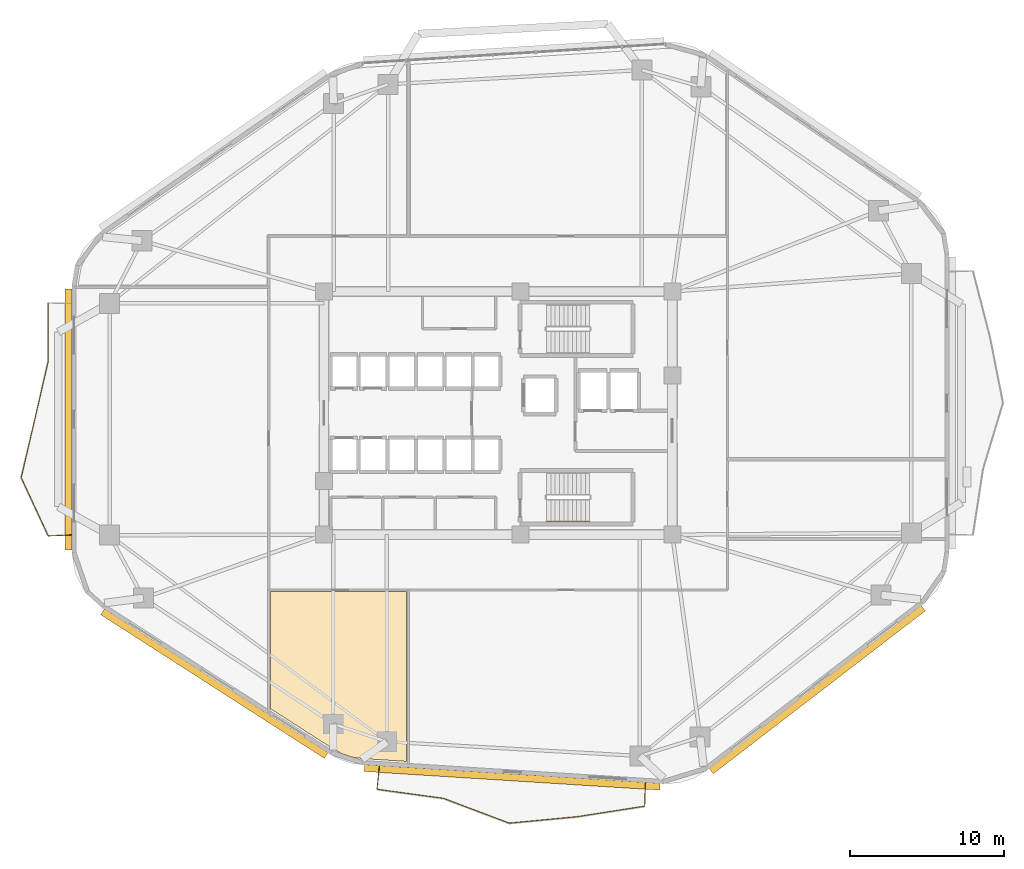
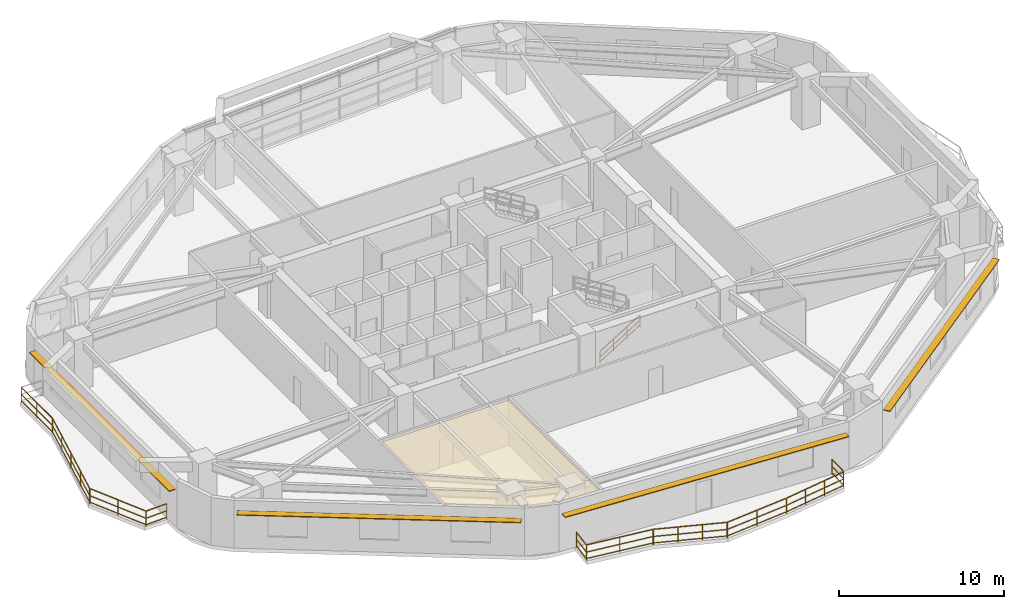
# One storey, part 9 of 11: 11 railings, 4 shading devices, 1 covering.
"""IFC4 building model written with IfcOpenShell, lengths in metres."""

from ifc_helpers import new_model, si_unit, direction, frame, origin, origin_2d, place, context, subcontext, project, spatial, polyline, rectangle, outline, extrude, material, layer, layer_set, type_object, element, save


model = new_model("IFC4")

# Units and contexts
model_context = context("Model", 3, precision=1e-05, world=origin(), true_north=direction((0.0, 1.0)))
body_context = subcontext(model_context, "Body", "Model", "MODEL_VIEW")
ifc_project = project(units=[si_unit("LENGTHUNIT", "METRE"), si_unit("AREAUNIT", "SQUARE_METRE"), si_unit("VOLUMEUNIT", "CUBIC_METRE"), si_unit("PLANEANGLEUNIT", "RADIAN"), si_unit("MASSUNIT", "GRAM", prefix="KILO")], contexts=[model_context])

# Site, building, storey
site_placement = place(None, origin())
site = spatial("IfcSite", under=ifc_project, at=site_placement, CompositionType="ELEMENT")
building_placement = place(site_placement, origin())
building = spatial("IfcBuilding", under=site, at=building_placement, Name="Zulverin Broadcast Headquarters", CompositionType="ELEMENT")
storey_placement = place(building_placement, frame((0.0, 0.0, 32.60009765625)))
storey = spatial("IfcBuildingStorey", under=building, at=storey_placement, Name="L07", CompositionType="ELEMENT", Elevation=32.60009765625)

# Covering
ifc_material_1 = material(Name="Perforated pale-metal acoustic baffle ceiling", Category="aluminium")
ifc_layer_1 = layer(ifc_material_1, 0.0400390625, Name="Perforated pale-metal acoustic baffle ceiling", Category="aluminium")
ifc_layer_set_1 = layer_set([ifc_layer_1], Name="Perforated pale-metal acoustic baffle ceiling")
covering_type = type_object("IfcCoveringType", Name="COV-CEIL-ACOU", PredefinedType="CEILING", material=ifc_layer_set_1)
covering_placement = place(storey_placement, frame((0.0, 0.0, 3.344970703125)))
element("IfcCovering", 1, at=covering_placement, inside=storey, type_object=covering_type, Name="L07 Acoustic Baffle Ceiling 03", PredefinedType="CEILING", context=body_context, shape_type="SweptSolid", body=[
    extrude(outline(polyline([(22.27197265625, 13.632080078125), (22.27197265625, 6.055908203125), (26.347900390625, 3.43603515625), (26.931884765625, 3.1279296875), (27.5439453125, 2.924072265625), (28.19189453125, 2.83203125), (31.080078125, 2.64794921875), (31.080078125, 13.632080078125), (22.27197265625, 13.632080078125)])), origin(), (0.0, 0.0, 1.0), 0.0400390625),
])

# Railings
ifc_material_2 = material(Name="Brushed stainless steel & laminated glass balustrade", Category="steel")
railing_type_1 = type_object("IfcRailingType", Name="RL-GUARD-1150", PredefinedType="GUARDRAIL", material=ifc_material_2)
railing_1_placement = place(storey_placement, frame((29.3076171875, 2.318603515625, 0.0)))
element("IfcRailing", 2, at=railing_1_placement, inside=storey, type_object=railing_type_1, Name="L07 Vertical-Forest Balcony Guardrail BAL_S Segment 01", PredefinedType="GUARDRAIL", context=body_context, shape_type="SweptSolid", body=[
    extrude(rectangle(XDim=0.048095703125, YDim=0.048095703125, at=origin_2d()), frame((0.0, 0.0, 1.1259765625), z_axis=(-0.103228615139, -0.99465765619, 0.0), x_axis=(0.99465765619, -0.103228615139, 0.0)), (0.0, 0.0, 1.0), 1.46630859375),
    extrude(rectangle(XDim=0.0419921875, YDim=0.0419921875, at=origin_2d()), frame((0.0, 0.0, 0.597900390625), z_axis=(-0.103228615139, -0.99465765619, 0.0), x_axis=(0.99465765619, -0.103228615139, 0.0)), (0.0, 0.0, 1.0), 1.46630859375),
    extrude(rectangle(XDim=0.0419921875, YDim=0.0419921875, at=origin_2d()), frame((0.0, 0.0, 0.1201171875), z_axis=(-0.103228615139, -0.99465765619, 0.0), x_axis=(0.99465765619, -0.103228615139, 0.0)), (0.0, 0.0, 1.0), 1.46630859375),
    extrude(rectangle(XDim=0.0419921875, YDim=0.0419921875, at=origin_2d()), origin(), (0.0, 0.0, 1.0), 1.101806640625),
    extrude(rectangle(XDim=0.0419921875, YDim=0.0419921875, at=origin_2d()), frame((-0.1513671875, -1.45849609375, 0.0)), (0.0, 0.0, 1.0), 1.101806640625),
])
railing_2_placement = place(storey_placement, frame((29.16943359375, 0.843017578125, 0.0)))
element("IfcRailing", 3, at=railing_2_placement, inside=storey, type_object=railing_type_1, Name="L07 Vertical-Forest Balcony Guardrail BAL_S Segment 02", PredefinedType="GUARDRAIL", context=body_context, shape_type="SweptSolid", body=[
    extrude(rectangle(XDim=0.048095703125, YDim=0.048095703125, at=origin_2d()), frame((0.0, 0.0, 1.1259765625), z_axis=(0.990776169292, -0.135508606236, 0.0), x_axis=(0.135508606236, 0.990776169292, 0.0)), (0.0, 0.0, 1.0), 4.32568359375),
    extrude(rectangle(XDim=0.0419921875, YDim=0.0419921875, at=origin_2d()), frame((0.0, 0.0, 0.597900390625), z_axis=(0.990776169292, -0.135508606236, 0.0), x_axis=(0.135508606236, 0.990776169292, 0.0)), (0.0, 0.0, 1.0), 4.32568359375),
    extrude(rectangle(XDim=0.0419921875, YDim=0.0419921875, at=origin_2d()), frame((0.0, 0.0, 0.1201171875), z_axis=(0.990776169292, -0.135508606236, 0.0), x_axis=(0.135508606236, 0.990776169292, 0.0)), (0.0, 0.0, 1.0), 4.32568359375),
    extrude(rectangle(XDim=0.0419921875, YDim=0.0419921875, at=origin_2d()), origin(), (0.0, 0.0, 1.0), 1.101806640625),
    extrude(rectangle(XDim=0.0419921875, YDim=0.0419921875, at=origin_2d()), frame((2.14306640625, -0.29296875, 0.0)), (0.0, 0.0, 1.0), 1.101806640625),
    extrude(rectangle(XDim=0.0419921875, YDim=0.0419921875, at=origin_2d()), frame((4.285888671875, -0.586181640625, 0.0)), (0.0, 0.0, 1.0), 1.101806640625),
])
railing_3_placement = place(storey_placement, frame((33.484130859375, 0.24951171875, 0.0)))
element("IfcRailing", 4, at=railing_3_placement, inside=storey, type_object=railing_type_1, Name="L07 Vertical-Forest Balcony Guardrail BAL_S Segment 03", PredefinedType="GUARDRAIL", context=body_context, shape_type="SweptSolid", body=[
    extrude(rectangle(XDim=0.048095703125, YDim=0.048095703125, at=origin_2d()), frame((0.0, 0.0, 1.1259765625), z_axis=(0.935685285849, -0.352835720761, 0.0), x_axis=(0.352835720761, 0.935685285849, 0.0)), (0.0, 0.0, 1.0), 4.51416015625),
    extrude(rectangle(XDim=0.0419921875, YDim=0.0419921875, at=origin_2d()), frame((0.0, 0.0, 0.597900390625), z_axis=(0.935685285849, -0.352835720761, 0.0), x_axis=(0.352835720761, 0.935685285849, 0.0)), (0.0, 0.0, 1.0), 4.51416015625),
    extrude(rectangle(XDim=0.0419921875, YDim=0.0419921875, at=origin_2d()), frame((0.0, 0.0, 0.1201171875), z_axis=(0.935685285849, -0.352835720761, 0.0), x_axis=(0.352835720761, 0.935685285849, 0.0)), (0.0, 0.0, 1.0), 4.51416015625),
    extrude(rectangle(XDim=0.0419921875, YDim=0.0419921875, at=origin_2d()), origin(), (0.0, 0.0, 1.0), 1.101806640625),
    extrude(rectangle(XDim=0.0419921875, YDim=0.0419921875, at=origin_2d()), frame((1.407958984375, -0.531005859375, 0.0)), (0.0, 0.0, 1.0), 1.101806640625),
    extrude(rectangle(XDim=0.0419921875, YDim=0.0419921875, at=origin_2d()), frame((2.81591796875, -1.061767578125, 0.0)), (0.0, 0.0, 1.0), 1.101806640625),
    extrude(rectangle(XDim=0.0419921875, YDim=0.0419921875, at=origin_2d()), frame((4.223876953125, -1.5927734375, 0.0)), (0.0, 0.0, 1.0), 1.101806640625),
])
railing_4_placement = place(storey_placement, frame((37.73681640625, -1.34716796875, 0.0)))
element("IfcRailing", 5, at=railing_4_placement, inside=storey, type_object=railing_type_1, Name="L07 Vertical-Forest Balcony Guardrail BAL_S Segment 04", PredefinedType="GUARDRAIL", context=body_context, shape_type="SweptSolid", body=[
    extrude(rectangle(XDim=0.048095703125, YDim=0.048095703125, at=origin_2d()), frame((0.0, 0.0, 1.1259765625), z_axis=(0.995530565584, 0.094439890869, 0.0), x_axis=(-0.094439890869, 0.995530565584, 0.0)), (0.0, 0.0, 1.0), 4.368896484375),
    extrude(rectangle(XDim=0.0419921875, YDim=0.0419921875, at=origin_2d()), frame((0.0, 0.0, 0.597900390625), z_axis=(0.995530565584, 0.094439890869, 0.0), x_axis=(-0.094439890869, 0.995530565584, 0.0)), (0.0, 0.0, 1.0), 4.368896484375),
    extrude(rectangle(XDim=0.0419921875, YDim=0.0419921875, at=origin_2d()), frame((0.0, 0.0, 0.1201171875), z_axis=(0.995530565584, 0.094439890869, 0.0), x_axis=(-0.094439890869, 0.995530565584, 0.0)), (0.0, 0.0, 1.0), 4.368896484375),
    extrude(rectangle(XDim=0.0419921875, YDim=0.0419921875, at=origin_2d()), origin(), (0.0, 0.0, 1.0), 1.101806640625),
    extrude(rectangle(XDim=0.0419921875, YDim=0.0419921875, at=origin_2d()), frame((2.1748046875, 0.206298828125, 0.0)), (0.0, 0.0, 1.0), 1.101806640625),
    extrude(rectangle(XDim=0.0419921875, YDim=0.0419921875, at=origin_2d()), frame((4.349365234375, 0.41259765625, 0.0)), (0.0, 0.0, 1.0), 1.101806640625),
])
railing_5_placement = place(storey_placement, frame((42.11572265625, -0.930908203125, 0.0)))
element("IfcRailing", 6, at=railing_5_placement, inside=storey, type_object=railing_type_1, Name="L07 Vertical-Forest Balcony Guardrail BAL_S Segment 05", PredefinedType="GUARDRAIL", context=body_context, shape_type="SweptSolid", body=[
    extrude(rectangle(XDim=0.048095703125, YDim=0.048095703125, at=origin_2d()), frame((0.0, 0.0, 1.1259765625), z_axis=(0.988093523987, 0.15385443723, 0.0), x_axis=(-0.15385443723, 0.988093523987, 0.0)), (0.0, 0.0, 1.0), 4.41943359375),
    extrude(rectangle(XDim=0.0419921875, YDim=0.0419921875, at=origin_2d()), frame((0.0, 0.0, 0.597900390625), z_axis=(0.988093523987, 0.15385443723, 0.0), x_axis=(-0.15385443723, 0.988093523987, 0.0)), (0.0, 0.0, 1.0), 4.41943359375),
    extrude(rectangle(XDim=0.0419921875, YDim=0.0419921875, at=origin_2d()), frame((0.0, 0.0, 0.1201171875), z_axis=(0.988093523987, 0.15385443723, 0.0), x_axis=(-0.15385443723, 0.988093523987, 0.0)), (0.0, 0.0, 1.0), 4.41943359375),
    extrude(rectangle(XDim=0.0419921875, YDim=0.0419921875, at=origin_2d()), origin(), (0.0, 0.0, 1.0), 1.101806640625),
    extrude(rectangle(XDim=0.0419921875, YDim=0.0419921875, at=origin_2d()), frame((1.45556640625, 0.2265625, 0.0)), (0.0, 0.0, 1.0), 1.101806640625),
    extrude(rectangle(XDim=0.0419921875, YDim=0.0419921875, at=origin_2d()), frame((2.9111328125, 0.453369140625, 0.0)), (0.0, 0.0, 1.0), 1.101806640625),
    extrude(rectangle(XDim=0.0419921875, YDim=0.0419921875, at=origin_2d()), frame((4.36669921875, 0.679931640625, 0.0)), (0.0, 0.0, 1.0), 1.101806640625),
])
railing_6_placement = place(storey_placement, frame((46.497314453125, -0.233642578125, 0.0)))
element("IfcRailing", 7, at=railing_6_placement, inside=storey, type_object=railing_type_1, Name="L07 Vertical-Forest Balcony Guardrail BAL_S Segment 06", PredefinedType="GUARDRAIL", context=body_context, shape_type="SweptSolid", body=[
    extrude(rectangle(XDim=0.048095703125, YDim=0.048095703125, at=origin_2d()), frame((0.0, 0.0, 1.1259765625), z_axis=(0.022641987457, 0.999743637341, 0.0), x_axis=(-0.999743637341, 0.022641987457, 0.0)), (0.0, 0.0, 1.0), 1.466552734375),
    extrude(rectangle(XDim=0.0419921875, YDim=0.0419921875, at=origin_2d()), frame((0.0, 0.0, 0.597900390625), z_axis=(0.022641987457, 0.999743637341, 0.0), x_axis=(-0.999743637341, 0.022641987457, 0.0)), (0.0, 0.0, 1.0), 1.466552734375),
    extrude(rectangle(XDim=0.0419921875, YDim=0.0419921875, at=origin_2d()), frame((0.0, 0.0, 0.1201171875), z_axis=(0.022641987457, 0.999743637341, 0.0), x_axis=(-0.999743637341, 0.022641987457, 0.0)), (0.0, 0.0, 1.0), 1.466552734375),
    extrude(rectangle(XDim=0.0419921875, YDim=0.0419921875, at=origin_2d()), origin(), (0.0, 0.0, 1.0), 1.101806640625),
    extrude(rectangle(XDim=0.0419921875, YDim=0.0419921875, at=origin_2d()), frame((0.033203125, 1.466064453125, 0.0)), (0.0, 0.0, 1.0), 1.101806640625),
])
railing_7_placement = place(storey_placement, frame((7.8798828125, 32.329345703125, 0.0)))
element("IfcRailing", 8, at=railing_7_placement, inside=storey, type_object=railing_type_1, Name="L07 Vertical-Forest Balcony Guardrail BAL_W Segment 02", PredefinedType="GUARDRAIL", context=body_context, shape_type="SweptSolid", body=[
    extrude(rectangle(XDim=0.048095703125, YDim=0.048095703125, at=origin_2d()), frame((0.0, 0.0, 1.1259765625), z_axis=(0.0, -1.0, 0.0), x_axis=(1.0, 0.0, 0.0)), (0.0, 0.0, 1.0), 3.7451171875),
    extrude(rectangle(XDim=0.0419921875, YDim=0.0419921875, at=origin_2d()), frame((0.0, 0.0, 0.597900390625), z_axis=(0.0, -1.0, 0.0), x_axis=(1.0, 0.0, 0.0)), (0.0, 0.0, 1.0), 3.7451171875),
    extrude(rectangle(XDim=0.0419921875, YDim=0.0419921875, at=origin_2d()), frame((0.0, 0.0, 0.1201171875), z_axis=(0.0, -1.0, 0.0), x_axis=(1.0, 0.0, 0.0)), (0.0, 0.0, 1.0), 3.7451171875),
    extrude(rectangle(XDim=0.0419921875, YDim=0.0419921875, at=origin_2d()), origin(), (0.0, 0.0, 1.0), 1.101806640625),
    extrude(rectangle(XDim=0.0419921875, YDim=0.0419921875, at=origin_2d()), frame((0.0, -1.87255859375, 0.0)), (0.0, 0.0, 1.0), 1.101806640625),
    extrude(rectangle(XDim=0.0419921875, YDim=0.0419921875, at=origin_2d()), frame((0.0, -3.7451171875, 0.0)), (0.0, 0.0, 1.0), 1.101806640625),
])
railing_8_placement = place(storey_placement, frame((7.876708984375, 28.5546875, 0.0)))
element("IfcRailing", 9, at=railing_8_placement, inside=storey, type_object=railing_type_1, Name="L07 Vertical-Forest Balcony Guardrail BAL_W Segment 03", PredefinedType="GUARDRAIL", context=body_context, shape_type="SweptSolid", body=[
    extrude(rectangle(XDim=0.048095703125, YDim=0.048095703125, at=origin_2d()), frame((0.0, 0.0, 1.1259765625), z_axis=(-0.226290961351, -0.974059752177, 0.0), x_axis=(0.974059752177, -0.226290961351, 0.0)), (0.0, 0.0, 1.0), 7.721435546875),
    extrude(rectangle(XDim=0.0419921875, YDim=0.0419921875, at=origin_2d()), frame((0.0, 0.0, 0.597900390625), z_axis=(-0.226290961351, -0.974059752177, 0.0), x_axis=(0.974059752177, -0.226290961351, 0.0)), (0.0, 0.0, 1.0), 7.721435546875),
    extrude(rectangle(XDim=0.0419921875, YDim=0.0419921875, at=origin_2d()), frame((0.0, 0.0, 0.1201171875), z_axis=(-0.226290961351, -0.974059752177, 0.0), x_axis=(0.974059752177, -0.226290961351, 0.0)), (0.0, 0.0, 1.0), 7.721435546875),
    extrude(rectangle(XDim=0.0419921875, YDim=0.0419921875, at=origin_2d()), origin(), (0.0, 0.0, 1.0), 1.101806640625),
    extrude(rectangle(XDim=0.0419921875, YDim=0.0419921875, at=origin_2d()), frame((-0.436767578125, -1.88037109375, 0.0)), (0.0, 0.0, 1.0), 1.101806640625),
    extrude(rectangle(XDim=0.0419921875, YDim=0.0419921875, at=origin_2d()), frame((-0.87353515625, -3.7607421875, 0.0)), (0.0, 0.0, 1.0), 1.101806640625),
    extrude(rectangle(XDim=0.0419921875, YDim=0.0419921875, at=origin_2d()), frame((-1.310546875, -5.640869140625, 0.0)), (0.0, 0.0, 1.0), 1.101806640625),
    extrude(rectangle(XDim=0.0419921875, YDim=0.0419921875, at=origin_2d()), frame((-1.747314453125, -7.521240234375, 0.0)), (0.0, 0.0, 1.0), 1.101806640625),
])
railing_9_placement = place(storey_placement, frame((6.13232421875, 21.005126953125, 0.0)))
element("IfcRailing", 10, at=railing_9_placement, inside=storey, type_object=railing_type_1, Name="L07 Vertical-Forest Balcony Guardrail BAL_W Segment 04", PredefinedType="GUARDRAIL", context=body_context, shape_type="SweptSolid", body=[
    extrude(rectangle(XDim=0.048095703125, YDim=0.048095703125, at=origin_2d()), frame((0.0, 0.0, 1.1259765625), z_axis=(0.421368161314, -0.906889669492, 0.0), x_axis=(0.906889669492, 0.421368161314, 0.0)), (0.0, 0.0, 1.0), 4.1328125),
    extrude(rectangle(XDim=0.0419921875, YDim=0.0419921875, at=origin_2d()), frame((0.0, 0.0, 0.597900390625), z_axis=(0.421368161314, -0.906889669492, 0.0), x_axis=(0.906889669492, 0.421368161314, 0.0)), (0.0, 0.0, 1.0), 4.1328125),
    extrude(rectangle(XDim=0.0419921875, YDim=0.0419921875, at=origin_2d()), frame((0.0, 0.0, 0.1201171875), z_axis=(0.421368161314, -0.906889669492, 0.0), x_axis=(0.906889669492, 0.421368161314, 0.0)), (0.0, 0.0, 1.0), 4.1328125),
    extrude(rectangle(XDim=0.0419921875, YDim=0.0419921875, at=origin_2d()), origin(), (0.0, 0.0, 1.0), 1.101806640625),
    extrude(rectangle(XDim=0.0419921875, YDim=0.0419921875, at=origin_2d()), frame((0.87060546875, -1.8740234375, 0.0)), (0.0, 0.0, 1.0), 1.101806640625),
    extrude(rectangle(XDim=0.0419921875, YDim=0.0419921875, at=origin_2d()), frame((1.741455078125, -3.748046875, 0.0)), (0.0, 0.0, 1.0), 1.101806640625),
])
railing_10_placement = place(storey_placement, frame((7.89501953125, 17.244140625, 0.0)))
element("IfcRailing", 11, at=railing_10_placement, inside=storey, type_object=railing_type_1, Name="L07 Vertical-Forest Balcony Guardrail BAL_W Segment 05", PredefinedType="GUARDRAIL", context=body_context, shape_type="SweptSolid", body=[
    extrude(rectangle(XDim=0.048095703125, YDim=0.048095703125, at=origin_2d()), frame((0.0, 0.0, 1.1259765625), z_axis=(0.999174410196, 0.040626321628, 0.0), x_axis=(-0.040626321628, 0.999174410196, 0.0)), (0.0, 0.0, 1.0), 1.46630859375),
    extrude(rectangle(XDim=0.0419921875, YDim=0.0419921875, at=origin_2d()), frame((0.0, 0.0, 0.597900390625), z_axis=(0.999174410196, 0.040626321628, 0.0), x_axis=(-0.040626321628, 0.999174410196, 0.0)), (0.0, 0.0, 1.0), 1.46630859375),
    extrude(rectangle(XDim=0.0419921875, YDim=0.0419921875, at=origin_2d()), frame((0.0, 0.0, 0.1201171875), z_axis=(0.999174410196, 0.040626321628, 0.0), x_axis=(-0.040626321628, 0.999174410196, 0.0)), (0.0, 0.0, 1.0), 1.46630859375),
    extrude(rectangle(XDim=0.0419921875, YDim=0.0419921875, at=origin_2d()), origin(), (0.0, 0.0, 1.0), 1.101806640625),
    extrude(rectangle(XDim=0.0419921875, YDim=0.0419921875, at=origin_2d()), frame((1.465087890625, 0.0595703125, 0.0)), (0.0, 0.0, 1.0), 1.101806640625),
])
ifc_material_3 = material(Name="Brushed stainless steel 48 mm handrail", Category="steel")
railing_type_2 = type_object("IfcRailingType", Name="RL-ST-HAND", PredefinedType="HANDRAIL", material=ifc_material_3)
railing_11_placement = place(storey_placement, frame((40.1298828125, 18.199951171875, 0.172607421875)))
element("IfcRailing", 12, at=railing_11_placement, inside=storey, type_object=railing_type_2, Name="L07 ST-2 stair handrail 1", PredefinedType="HANDRAIL", context=body_context, shape_type="SweptSolid", body=[
    extrude(rectangle(XDim=0.048095703125, YDim=0.048095703125, at=origin_2d()), frame((0.0, 0.0, 0.8759765625), z_axis=(0.851089632645, 0.0, 0.525020415988), x_axis=(0.0, 1.0, 0.0)), (0.0, 0.0, 1.0), 3.2900390625),
    extrude(rectangle(XDim=0.0419921875, YDim=0.0419921875, at=origin_2d()), frame((0.0, 0.0, 0.468017578125), z_axis=(0.851089632645, 0.0, 0.525020415988), x_axis=(0.0, 1.0, 0.0)), (0.0, 0.0, 1.0), 3.2900390625),
    extrude(rectangle(XDim=0.0419921875, YDim=0.0419921875, at=origin_2d()), frame((0.0, 0.0, 0.1201171875), z_axis=(0.851089632645, 0.0, 0.525020415988), x_axis=(0.0, 1.0, 0.0)), (0.0, 0.0, 1.0), 3.2900390625),
    extrude(rectangle(XDim=0.0419921875, YDim=0.0419921875, at=origin_2d()), origin(), (0.0, 0.0, 1.0), 0.851806640625),
    extrude(rectangle(XDim=0.0419921875, YDim=0.0419921875, at=origin_2d()), frame((0.933349609375, 0.0, 0.57568359375)), (0.0, 0.0, 1.0), 0.851806640625),
    extrude(rectangle(XDim=0.0419921875, YDim=0.0419921875, at=origin_2d()), frame((1.86669921875, 0.0, 1.151611328125)), (0.0, 0.0, 1.0), 0.851806640625),
    extrude(rectangle(XDim=0.0419921875, YDim=0.0419921875, at=origin_2d()), frame((2.800048828125, 0.0, 1.727294921875)), (0.0, 0.0, 1.0), 0.851806640625),
])

# Shading devices
ifc_material_4 = material(Name="Anodized pale-metal aluminium sunshade", Category="aluminium")
ifc_layer_2 = layer(ifc_material_4, 0.06005859375, Name="Anodized pale-metal aluminium sunshade", Category="aluminium")
ifc_layer_set_2 = layer_set([ifc_layer_2], Name="Anodized pale-metal aluminium sunshade")
shading_device_type = type_object("IfcShadingDeviceType", Name="SS-01_PALE_METAL_ALUMINIUM_SUNSHADE", PredefinedType="USERDEFINED", material=ifc_layer_set_2)
shading_device_1_placement = place(storey_placement, frame((37.908935546875, 1.61572265625, 2.7099609375), z_axis=(0.0, 0.0, 1.0), x_axis=(0.998017182581, -0.062942062821, 0.0)))
element("IfcShadingDevice", 13, at=shading_device_1_placement, inside=storey, type_object=shading_device_type, Name="L07 Horizontal Pale-Metal Sunshade Band 1", ObjectType="SUNSHADE", PredefinedType="USERDEFINED", context=body_context, shape_type="SweptSolid", body=[
    extrude(rectangle(XDim=19.177001953125, YDim=0.449951171875, at=origin_2d()), origin(), (0.0, 0.0, 1.0), 0.06005859375),
])
shading_device_2_placement = place(storey_placement, frame((57.658447265625, 7.29833984375, 2.7099609375), z_axis=(0.0, 0.0, 1.0), x_axis=(0.792933468586, 0.609308226102, 0.0)))
element("IfcShadingDevice", 14, at=shading_device_2_placement, inside=storey, type_object=shading_device_type, Name="L07 Horizontal Pale-Metal Sunshade Band 2", ObjectType="SUNSHADE", PredefinedType="USERDEFINED", context=body_context, shape_type="SweptSolid", body=[
    extrude(rectangle(XDim=17.312744140625, YDim=0.449951171875, at=origin_2d()), origin(), (0.0, 0.0, 1.0), 0.06005859375),
])
shading_device_3_placement = place(storey_placement, frame((9.199951171875, 24.7939453125, 2.7099609375), z_axis=(0.0, 0.0, 1.0), x_axis=(0.0, -1.0, 0.0)))
element("IfcShadingDevice", 15, at=shading_device_3_placement, inside=storey, type_object=shading_device_type, Name="L07 Horizontal Pale-Metal Sunshade Band 7", ObjectType="SUNSHADE", PredefinedType="USERDEFINED", context=body_context, shape_type="SweptSolid", body=[
    extrude(rectangle(XDim=16.90087890625, YDim=0.449951171875, at=origin_2d()), origin(), (0.0, 0.0, 1.0), 0.06005859375),
])
shading_device_4_placement = place(storey_placement, frame((18.6298828125, 7.681640625, 2.7099609375), z_axis=(0.0, 0.0, 1.0), x_axis=(0.841296678234, -0.540573676007, 0.0)))
element("IfcShadingDevice", 16, at=shading_device_4_placement, inside=storey, type_object=shading_device_type, Name="L07 Horizontal Pale-Metal Sunshade Band 8", ObjectType="SUNSHADE", PredefinedType="USERDEFINED", context=body_context, shape_type="SweptSolid", body=[
    extrude(rectangle(XDim=17.2119140625, YDim=0.449951171875, at=origin_2d()), origin(), (0.0, 0.0, 1.0), 0.06005859375),
])

save(model, "model.ifc")
